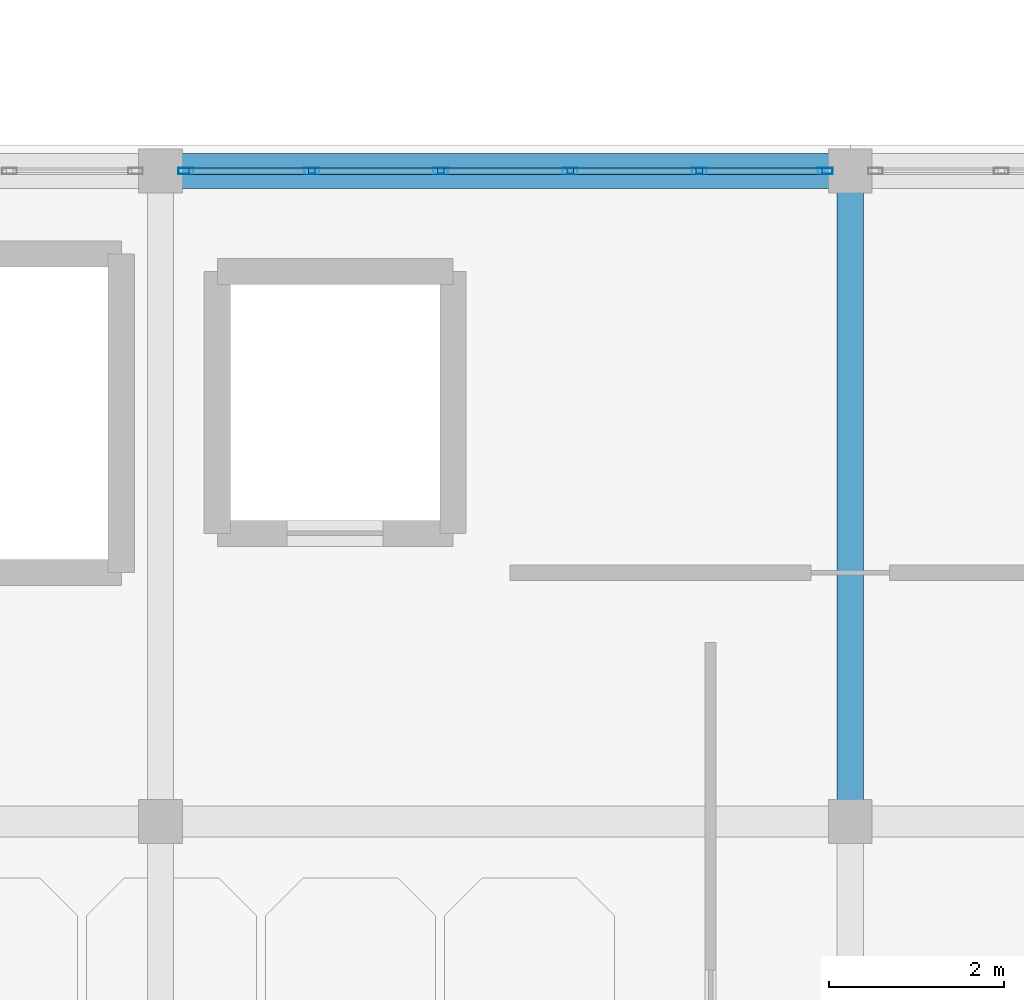
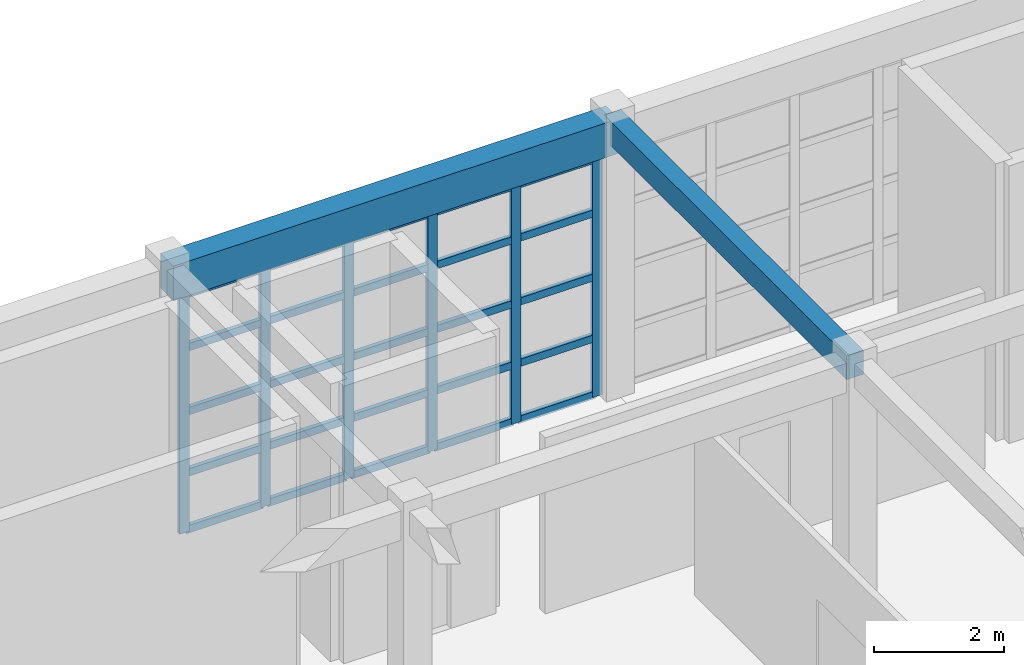
# One storey, part 12 of 103: 31 members, 2 beams, 1 element without a shape of its own.
"""IFC4 building model written with IfcOpenShell, lengths in metres."""

from ifc_helpers import new_model, si_unit, direction, frame, origin, origin_2d, place, context, subcontext, project, spatial, rectangle, hollow_rectangle, extrude, material, layer, layer_set, material_profile, profile_set, type_object, element, aggregate, save


model = new_model("IFC4")

# Units and contexts
model_context = context("Model", 3, precision=1e-05, world=origin(), true_north=direction((0.0, 1.0)))
body_context = subcontext(model_context, "Body", "Model", "MODEL_VIEW")
ifc_project = project(units=[si_unit("LENGTHUNIT", "METRE"), si_unit("AREAUNIT", "SQUARE_METRE"), si_unit("VOLUMEUNIT", "CUBIC_METRE"), si_unit("PLANEANGLEUNIT", "RADIAN"), si_unit("MASSUNIT", "GRAM", prefix="KILO")], contexts=[model_context])

# Site, building, storey
site_placement = place(None, origin())
site = spatial("IfcSite", under=ifc_project, at=site_placement, CompositionType="ELEMENT")
building_placement = place(site_placement, origin())
building = spatial("IfcBuilding", under=site, at=building_placement, Name="Candilejo Ridge Gondola Terminal", CompositionType="ELEMENT")
storey_placement = place(building_placement, frame((0.0, 0.0, 9.0)))
storey = spatial("IfcBuildingStorey", under=building, at=storey_placement, Name="L02", CompositionType="ELEMENT", Elevation=9.0)

# Curtain wall, members
ifc_material_1 = material(Name="Anodised aluminium AA 6063-T6", Category="aluminium")
ifc_layer = layer(ifc_material_1, 0.169921875)
ifc_layer_set = layer_set([ifc_layer], Name="ARC-CW-GALLERY-3200-740X449")
curtain_wall_type = type_object("IfcCurtainWallType", Name="ARC-CW-GALLERY-3200-740X449", PredefinedType="NOTDEFINED", material=ifc_layer_set)
curtain_wall_placement = place(storey_placement, origin())
curtain_wall = element("IfcCurtainWall", 1, at=curtain_wall_placement, inside=storey, type_object=curtain_wall_type, Name="Curtain wall V1 L02-008", PredefinedType="NOTDEFINED")
ifc_material_2 = material(Name="Anodised aluminium AA 6063-T6", Category="aluminium")
ifc_material_profile_1 = material_profile(ifc_material_2, hollow_rectangle(XDim=0.074951171875, YDim=0.169921875, WallThickness=0.00390625, at=origin_2d()))
ifc_profile_set_1 = profile_set([ifc_material_profile_1], Name="Anodised aluminium AA 6063-T6")
member_type_1 = type_object("IfcMemberType", Name="ARC-CW-MULLION", PredefinedType="MULLION", material=ifc_profile_set_1)
member_1_placement = place(storey_placement, frame((12.487548828125, 25.699951171875, 0.0), z_axis=(0.0, 0.0, 1.0), x_axis=(0.0, 1.0, 0.0)))
member_1 = element("IfcMember", 2, at=member_1_placement, type_object=member_type_1, Name="CW-74X44 mullion 1", PredefinedType="MULLION", context=body_context, shape_type="SweptSolid", body=[
    extrude(hollow_rectangle(XDim=0.074951171875, YDim=0.169921875, WallThickness=0.00390625, at=origin_2d()), origin(), (0.0, 0.0, 1.0), 4.489990234375),
])
member_2_placement = place(storey_placement, frame((13.929931640625, 25.699951171875, 0.0), z_axis=(0.0, 0.0, 1.0), x_axis=(0.0, 1.0, 0.0)))
member_2 = element("IfcMember", 3, at=member_2_placement, type_object=member_type_1, Name="CW-74X44 mullion 2", PredefinedType="MULLION", context=body_context, shape_type="SweptSolid", body=[
    extrude(hollow_rectangle(XDim=0.074951171875, YDim=0.169921875, WallThickness=0.00390625, at=origin_2d()), origin(), (0.0, 0.0, 1.0), 4.489990234375),
])
member_3_placement = place(storey_placement, frame((15.409912109375, 25.699951171875, 0.0), z_axis=(0.0, 0.0, 1.0), x_axis=(0.0, 1.0, 0.0)))
member_3 = element("IfcMember", 4, at=member_3_placement, type_object=member_type_1, Name="CW-74X44 mullion 3", PredefinedType="MULLION", context=body_context, shape_type="SweptSolid", body=[
    extrude(hollow_rectangle(XDim=0.074951171875, YDim=0.169921875, WallThickness=0.00390625, at=origin_2d()), origin(), (0.0, 0.0, 1.0), 4.489990234375),
])
member_4_placement = place(storey_placement, frame((16.889892578125, 25.699951171875, 0.0), z_axis=(0.0, 0.0, 1.0), x_axis=(0.0, 1.0, 0.0)))
member_4 = element("IfcMember", 5, at=member_4_placement, type_object=member_type_1, Name="CW-74X44 mullion 4", PredefinedType="MULLION", context=body_context, shape_type="SweptSolid", body=[
    extrude(hollow_rectangle(XDim=0.074951171875, YDim=0.169921875, WallThickness=0.00390625, at=origin_2d()), origin(), (0.0, 0.0, 1.0), 4.489990234375),
])
member_5_placement = place(storey_placement, frame((18.3701171875, 25.699951171875, 0.0), z_axis=(0.0, 0.0, 1.0), x_axis=(0.0, 1.0, 0.0)))
member_5 = element("IfcMember", 6, at=member_5_placement, type_object=member_type_1, Name="CW-74X44 mullion 5", PredefinedType="MULLION", context=body_context, shape_type="SweptSolid", body=[
    extrude(hollow_rectangle(XDim=0.074951171875, YDim=0.169921875, WallThickness=0.00390625, at=origin_2d()), origin(), (0.0, 0.0, 1.0), 4.489990234375),
])
member_6_placement = place(storey_placement, frame((19.8125, 25.699951171875, 0.0), z_axis=(0.0, 0.0, 1.0), x_axis=(0.0, 1.0, 0.0)))
member_6 = element("IfcMember", 7, at=member_6_placement, type_object=member_type_1, Name="CW-74X44 mullion 6", PredefinedType="MULLION", context=body_context, shape_type="SweptSolid", body=[
    extrude(hollow_rectangle(XDim=0.074951171875, YDim=0.169921875, WallThickness=0.00390625, at=origin_2d()), origin(), (0.0, 0.0, 1.0), 4.489990234375),
])
ifc_material_3 = material(Name="Anodised aluminium AA 6063-T6", Category="aluminium")
ifc_material_profile_2 = material_profile(ifc_material_3, hollow_rectangle(XDim=0.074951171875, YDim=0.139892578125, WallThickness=0.00390625, at=origin_2d()))
ifc_profile_set_2 = profile_set([ifc_material_profile_2], Name="Anodised aluminium AA 6063-T6")
member_type_2 = type_object("IfcMemberType", Name="ARC-CW-TRANSOM", PredefinedType="USERDEFINED", material=ifc_profile_set_2)
member_7_placement = place(storey_placement, frame((12.52490234375, 25.699951171875, 0.03759765625), z_axis=(1.0, 0.0, 0.0), x_axis=(0.0, 1.0, 0.0)))
member_7 = element("IfcMember", 8, at=member_7_placement, type_object=member_type_2, Name="CW-74X44 transom 1.1", ObjectType="TRANSOM", PredefinedType="USERDEFINED", context=body_context, shape_type="SweptSolid", body=[
    extrude(hollow_rectangle(XDim=0.074951171875, YDim=0.139892578125, WallThickness=0.00390625, at=origin_2d()), origin(), (0.0, 0.0, 1.0), 1.36767578125),
])
member_8_placement = place(storey_placement, frame((12.52490234375, 25.699951171875, 1.10009765625), z_axis=(1.0, 0.0, 0.0), x_axis=(0.0, 1.0, 0.0)))
member_8 = element("IfcMember", 9, at=member_8_placement, type_object=member_type_2, Name="CW-74X44 transom 1.2", ObjectType="TRANSOM", PredefinedType="USERDEFINED", context=body_context, shape_type="SweptSolid", body=[
    extrude(hollow_rectangle(XDim=0.074951171875, YDim=0.139892578125, WallThickness=0.00390625, at=origin_2d()), origin(), (0.0, 0.0, 1.0), 1.36767578125),
])
member_9_placement = place(storey_placement, frame((12.52490234375, 25.699951171875, 2.25), z_axis=(1.0, 0.0, 0.0), x_axis=(0.0, 1.0, 0.0)))
member_9 = element("IfcMember", 10, at=member_9_placement, type_object=member_type_2, Name="CW-74X44 transom 1.3", ObjectType="TRANSOM", PredefinedType="USERDEFINED", context=body_context, shape_type="SweptSolid", body=[
    extrude(hollow_rectangle(XDim=0.074951171875, YDim=0.139892578125, WallThickness=0.00390625, at=origin_2d()), origin(), (0.0, 0.0, 1.0), 1.36767578125),
])
member_10_placement = place(storey_placement, frame((12.52490234375, 25.699951171875, 3.449951171875), z_axis=(1.0, 0.0, 0.0), x_axis=(0.0, 1.0, 0.0)))
member_10 = element("IfcMember", 11, at=member_10_placement, type_object=member_type_2, Name="CW-74X44 transom 1.4", ObjectType="TRANSOM", PredefinedType="USERDEFINED", context=body_context, shape_type="SweptSolid", body=[
    extrude(hollow_rectangle(XDim=0.074951171875, YDim=0.139892578125, WallThickness=0.00390625, at=origin_2d()), origin(), (0.0, 0.0, 1.0), 1.36767578125),
])
member_11_placement = place(storey_placement, frame((12.52490234375, 25.699951171875, 4.452392578125), z_axis=(1.0, 0.0, 0.0), x_axis=(0.0, 1.0, 0.0)))
member_11 = element("IfcMember", 12, at=member_11_placement, type_object=member_type_2, Name="CW-74X44 transom 1.5", ObjectType="TRANSOM", PredefinedType="USERDEFINED", context=body_context, shape_type="SweptSolid", body=[
    extrude(hollow_rectangle(XDim=0.074951171875, YDim=0.139892578125, WallThickness=0.00390625, at=origin_2d()), origin(), (0.0, 0.0, 1.0), 1.36767578125),
])
member_12_placement = place(storey_placement, frame((13.967529296875, 25.699951171875, 0.03759765625), z_axis=(1.0, 0.0, 0.0), x_axis=(0.0, 1.0, 0.0)))
member_12 = element("IfcMember", 13, at=member_12_placement, type_object=member_type_2, Name="CW-74X44 transom 2.1", ObjectType="TRANSOM", PredefinedType="USERDEFINED", context=body_context, shape_type="SweptSolid", body=[
    extrude(hollow_rectangle(XDim=0.074951171875, YDim=0.139892578125, WallThickness=0.00390625, at=origin_2d()), origin(), (0.0, 0.0, 1.0), 1.405029296875),
])
member_13_placement = place(storey_placement, frame((13.967529296875, 25.699951171875, 1.10009765625), z_axis=(1.0, 0.0, 0.0), x_axis=(0.0, 1.0, 0.0)))
member_13 = element("IfcMember", 14, at=member_13_placement, type_object=member_type_2, Name="CW-74X44 transom 2.2", ObjectType="TRANSOM", PredefinedType="USERDEFINED", context=body_context, shape_type="SweptSolid", body=[
    extrude(hollow_rectangle(XDim=0.074951171875, YDim=0.139892578125, WallThickness=0.00390625, at=origin_2d()), origin(), (0.0, 0.0, 1.0), 1.405029296875),
])
member_14_placement = place(storey_placement, frame((13.967529296875, 25.699951171875, 2.25), z_axis=(1.0, 0.0, 0.0), x_axis=(0.0, 1.0, 0.0)))
member_14 = element("IfcMember", 15, at=member_14_placement, type_object=member_type_2, Name="CW-74X44 transom 2.3", ObjectType="TRANSOM", PredefinedType="USERDEFINED", context=body_context, shape_type="SweptSolid", body=[
    extrude(hollow_rectangle(XDim=0.074951171875, YDim=0.139892578125, WallThickness=0.00390625, at=origin_2d()), origin(), (0.0, 0.0, 1.0), 1.405029296875),
])
member_15_placement = place(storey_placement, frame((13.967529296875, 25.699951171875, 3.449951171875), z_axis=(1.0, 0.0, 0.0), x_axis=(0.0, 1.0, 0.0)))
member_15 = element("IfcMember", 16, at=member_15_placement, type_object=member_type_2, Name="CW-74X44 transom 2.4", ObjectType="TRANSOM", PredefinedType="USERDEFINED", context=body_context, shape_type="SweptSolid", body=[
    extrude(hollow_rectangle(XDim=0.074951171875, YDim=0.139892578125, WallThickness=0.00390625, at=origin_2d()), origin(), (0.0, 0.0, 1.0), 1.405029296875),
])
member_16_placement = place(storey_placement, frame((13.967529296875, 25.699951171875, 4.452392578125), z_axis=(1.0, 0.0, 0.0), x_axis=(0.0, 1.0, 0.0)))
member_16 = element("IfcMember", 17, at=member_16_placement, type_object=member_type_2, Name="CW-74X44 transom 2.5", ObjectType="TRANSOM", PredefinedType="USERDEFINED", context=body_context, shape_type="SweptSolid", body=[
    extrude(hollow_rectangle(XDim=0.074951171875, YDim=0.139892578125, WallThickness=0.00390625, at=origin_2d()), origin(), (0.0, 0.0, 1.0), 1.405029296875),
])
member_17_placement = place(storey_placement, frame((15.447509765625, 25.699951171875, 0.03759765625), z_axis=(1.0, 0.0, 0.0), x_axis=(0.0, 1.0, 0.0)))
member_17 = element("IfcMember", 18, at=member_17_placement, type_object=member_type_2, Name="CW-74X44 transom 3.1", ObjectType="TRANSOM", PredefinedType="USERDEFINED", context=body_context, shape_type="SweptSolid", body=[
    extrude(hollow_rectangle(XDim=0.074951171875, YDim=0.139892578125, WallThickness=0.00390625, at=origin_2d()), origin(), (0.0, 0.0, 1.0), 1.405029296875),
])
member_18_placement = place(storey_placement, frame((15.447509765625, 25.699951171875, 1.10009765625), z_axis=(1.0, 0.0, 0.0), x_axis=(0.0, 1.0, 0.0)))
member_18 = element("IfcMember", 19, at=member_18_placement, type_object=member_type_2, Name="CW-74X44 transom 3.2", ObjectType="TRANSOM", PredefinedType="USERDEFINED", context=body_context, shape_type="SweptSolid", body=[
    extrude(hollow_rectangle(XDim=0.074951171875, YDim=0.139892578125, WallThickness=0.00390625, at=origin_2d()), origin(), (0.0, 0.0, 1.0), 1.405029296875),
])
member_19_placement = place(storey_placement, frame((15.447509765625, 25.699951171875, 2.25), z_axis=(1.0, 0.0, 0.0), x_axis=(0.0, 1.0, 0.0)))
member_19 = element("IfcMember", 20, at=member_19_placement, type_object=member_type_2, Name="CW-74X44 transom 3.3", ObjectType="TRANSOM", PredefinedType="USERDEFINED", context=body_context, shape_type="SweptSolid", body=[
    extrude(hollow_rectangle(XDim=0.074951171875, YDim=0.139892578125, WallThickness=0.00390625, at=origin_2d()), origin(), (0.0, 0.0, 1.0), 1.405029296875),
])
member_20_placement = place(storey_placement, frame((15.447509765625, 25.699951171875, 3.449951171875), z_axis=(1.0, 0.0, 0.0), x_axis=(0.0, 1.0, 0.0)))
member_20 = element("IfcMember", 21, at=member_20_placement, type_object=member_type_2, Name="CW-74X44 transom 3.4", ObjectType="TRANSOM", PredefinedType="USERDEFINED", context=body_context, shape_type="SweptSolid", body=[
    extrude(hollow_rectangle(XDim=0.074951171875, YDim=0.139892578125, WallThickness=0.00390625, at=origin_2d()), origin(), (0.0, 0.0, 1.0), 1.405029296875),
])
member_21_placement = place(storey_placement, frame((15.447509765625, 25.699951171875, 4.452392578125), z_axis=(1.0, 0.0, 0.0), x_axis=(0.0, 1.0, 0.0)))
member_21 = element("IfcMember", 22, at=member_21_placement, type_object=member_type_2, Name="CW-74X44 transom 3.5", ObjectType="TRANSOM", PredefinedType="USERDEFINED", context=body_context, shape_type="SweptSolid", body=[
    extrude(hollow_rectangle(XDim=0.074951171875, YDim=0.139892578125, WallThickness=0.00390625, at=origin_2d()), origin(), (0.0, 0.0, 1.0), 1.405029296875),
])
member_22_placement = place(storey_placement, frame((16.927490234375, 25.699951171875, 0.03759765625), z_axis=(1.0, 0.0, 0.0), x_axis=(0.0, 1.0, 0.0)))
member_22 = element("IfcMember", 23, at=member_22_placement, type_object=member_type_2, Name="CW-74X44 transom 4.1", ObjectType="TRANSOM", PredefinedType="USERDEFINED", context=body_context, shape_type="SweptSolid", body=[
    extrude(hollow_rectangle(XDim=0.074951171875, YDim=0.139892578125, WallThickness=0.00390625, at=origin_2d()), origin(), (0.0, 0.0, 1.0), 1.405029296875),
])
member_23_placement = place(storey_placement, frame((16.927490234375, 25.699951171875, 1.10009765625), z_axis=(1.0, 0.0, 0.0), x_axis=(0.0, 1.0, 0.0)))
member_23 = element("IfcMember", 24, at=member_23_placement, type_object=member_type_2, Name="CW-74X44 transom 4.2", ObjectType="TRANSOM", PredefinedType="USERDEFINED", context=body_context, shape_type="SweptSolid", body=[
    extrude(hollow_rectangle(XDim=0.074951171875, YDim=0.139892578125, WallThickness=0.00390625, at=origin_2d()), origin(), (0.0, 0.0, 1.0), 1.405029296875),
])
member_24_placement = place(storey_placement, frame((16.927490234375, 25.699951171875, 2.25), z_axis=(1.0, 0.0, 0.0), x_axis=(0.0, 1.0, 0.0)))
member_24 = element("IfcMember", 25, at=member_24_placement, type_object=member_type_2, Name="CW-74X44 transom 4.3", ObjectType="TRANSOM", PredefinedType="USERDEFINED", context=body_context, shape_type="SweptSolid", body=[
    extrude(hollow_rectangle(XDim=0.074951171875, YDim=0.139892578125, WallThickness=0.00390625, at=origin_2d()), origin(), (0.0, 0.0, 1.0), 1.405029296875),
])
member_25_placement = place(storey_placement, frame((16.927490234375, 25.699951171875, 3.449951171875), z_axis=(1.0, 0.0, 0.0), x_axis=(0.0, 1.0, 0.0)))
member_25 = element("IfcMember", 26, at=member_25_placement, type_object=member_type_2, Name="CW-74X44 transom 4.4", ObjectType="TRANSOM", PredefinedType="USERDEFINED", context=body_context, shape_type="SweptSolid", body=[
    extrude(hollow_rectangle(XDim=0.074951171875, YDim=0.139892578125, WallThickness=0.00390625, at=origin_2d()), origin(), (0.0, 0.0, 1.0), 1.405029296875),
])
member_26_placement = place(storey_placement, frame((16.927490234375, 25.699951171875, 4.452392578125), z_axis=(1.0, 0.0, 0.0), x_axis=(0.0, 1.0, 0.0)))
member_26 = element("IfcMember", 27, at=member_26_placement, type_object=member_type_2, Name="CW-74X44 transom 4.5", ObjectType="TRANSOM", PredefinedType="USERDEFINED", context=body_context, shape_type="SweptSolid", body=[
    extrude(hollow_rectangle(XDim=0.074951171875, YDim=0.139892578125, WallThickness=0.00390625, at=origin_2d()), origin(), (0.0, 0.0, 1.0), 1.405029296875),
])
member_27_placement = place(storey_placement, frame((18.407470703125, 25.699951171875, 0.03759765625), z_axis=(1.0, 0.0, 0.0), x_axis=(0.0, 1.0, 0.0)))
member_27 = element("IfcMember", 28, at=member_27_placement, type_object=member_type_2, Name="CW-74X44 transom 5.1", ObjectType="TRANSOM", PredefinedType="USERDEFINED", context=body_context, shape_type="SweptSolid", body=[
    extrude(hollow_rectangle(XDim=0.074951171875, YDim=0.139892578125, WallThickness=0.00390625, at=origin_2d()), origin(), (0.0, 0.0, 1.0), 1.367431640625),
])
member_28_placement = place(storey_placement, frame((18.407470703125, 25.699951171875, 1.10009765625), z_axis=(1.0, 0.0, 0.0), x_axis=(0.0, 1.0, 0.0)))
member_28 = element("IfcMember", 29, at=member_28_placement, type_object=member_type_2, Name="CW-74X44 transom 5.2", ObjectType="TRANSOM", PredefinedType="USERDEFINED", context=body_context, shape_type="SweptSolid", body=[
    extrude(hollow_rectangle(XDim=0.074951171875, YDim=0.139892578125, WallThickness=0.00390625, at=origin_2d()), origin(), (0.0, 0.0, 1.0), 1.367431640625),
])
member_29_placement = place(storey_placement, frame((18.407470703125, 25.699951171875, 2.25), z_axis=(1.0, 0.0, 0.0), x_axis=(0.0, 1.0, 0.0)))
member_29 = element("IfcMember", 30, at=member_29_placement, type_object=member_type_2, Name="CW-74X44 transom 5.3", ObjectType="TRANSOM", PredefinedType="USERDEFINED", context=body_context, shape_type="SweptSolid", body=[
    extrude(hollow_rectangle(XDim=0.074951171875, YDim=0.139892578125, WallThickness=0.00390625, at=origin_2d()), origin(), (0.0, 0.0, 1.0), 1.367431640625),
])
member_30_placement = place(storey_placement, frame((18.407470703125, 25.699951171875, 3.449951171875), z_axis=(1.0, 0.0, 0.0), x_axis=(0.0, 1.0, 0.0)))
member_30 = element("IfcMember", 31, at=member_30_placement, type_object=member_type_2, Name="CW-74X44 transom 5.4", ObjectType="TRANSOM", PredefinedType="USERDEFINED", context=body_context, shape_type="SweptSolid", body=[
    extrude(hollow_rectangle(XDim=0.074951171875, YDim=0.139892578125, WallThickness=0.00390625, at=origin_2d()), origin(), (0.0, 0.0, 1.0), 1.367431640625),
])
member_31_placement = place(storey_placement, frame((18.407470703125, 25.699951171875, 4.452392578125), z_axis=(1.0, 0.0, 0.0), x_axis=(0.0, 1.0, 0.0)))
member_31 = element("IfcMember", 32, at=member_31_placement, type_object=member_type_2, Name="CW-74X44 transom 5.5", ObjectType="TRANSOM", PredefinedType="USERDEFINED", context=body_context, shape_type="SweptSolid", body=[
    extrude(hollow_rectangle(XDim=0.074951171875, YDim=0.139892578125, WallThickness=0.00390625, at=origin_2d()), origin(), (0.0, 0.0, 1.0), 1.367431640625),
])
aggregate(curtain_wall, [member_1, member_2, member_3, member_4, member_5, member_6, member_7, member_8, member_9, member_10, member_11, member_12, member_13, member_14, member_15, member_16, member_17, member_18, member_19, member_20, member_21, member_22, member_23, member_24, member_25, member_26, member_27, member_28, member_29, member_30, member_31])

# Beams
ifc_material_4 = material(Name="Concrete f'c 35 MPa (C35/45)", Category="concrete")
ifc_material_profile_3 = material_profile(ifc_material_4, rectangle(XDim=0.300048828125, YDim=0.449951171875, at=origin_2d()))
ifc_profile_set_3 = profile_set([ifc_material_profile_3], Name="Concrete f'c 35 MPa (C35/45)")
beam_type_1 = type_object("IfcBeamType", Name="STR-BM-RC300X450", PredefinedType="BEAM", material=ifc_profile_set_3)
beam_1_placement = place(storey_placement, frame((20.10009765625, 18.25, 4.97509765625), z_axis=(0.0, 1.0, 0.0), x_axis=(-1.0, 0.0, 0.0)))
element("IfcBeam", 33, at=beam_1_placement, inside=storey, type_object=beam_type_1, Name="Beam Y V1 L02 Y03-Y05@X03", PredefinedType="BEAM", context=body_context, shape_type="SweptSolid", body=[
    extrude(rectangle(XDim=0.300048828125, YDim=0.449951171875, at=origin_2d()), origin(), (0.0, 0.0, 1.0), 7.449951171875),
])
ifc_material_5 = material(Name="Concrete f'c 35 MPa (C35/45)", Category="concrete")
ifc_material_profile_4 = material_profile(ifc_material_5, rectangle(XDim=0.39990234375, YDim=0.64990234375, at=origin_2d()))
ifc_profile_set_4 = profile_set([ifc_material_profile_4], Name="Concrete f'c 35 MPa (C35/45)")
beam_type_2 = type_object("IfcBeamType", Name="STR-SPN-RC400X650", PredefinedType="SPANDREL", material=ifc_profile_set_4)
beam_2_placement = place(storey_placement, frame((12.199951171875, 25.699951171875, 4.875), z_axis=(1.0, 0.0, 0.0), x_axis=(0.0, 1.0, 0.0)))
element("IfcBeam", 34, at=beam_2_placement, inside=storey, type_object=beam_type_2, Name="Beam X V1 L02 X02-X03@Y05", PredefinedType="SPANDREL", context=body_context, shape_type="SweptSolid", body=[
    extrude(rectangle(XDim=0.39990234375, YDim=0.64990234375, at=origin_2d()), origin(), (0.0, 0.0, 1.0), 7.900146484375),
])

save(model, "model.ifc")
